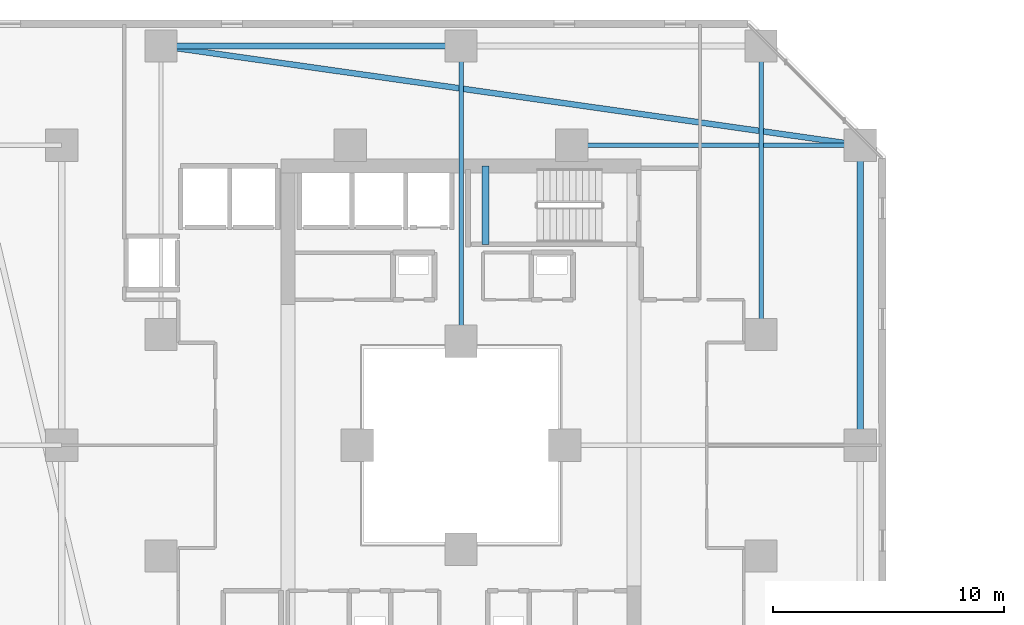
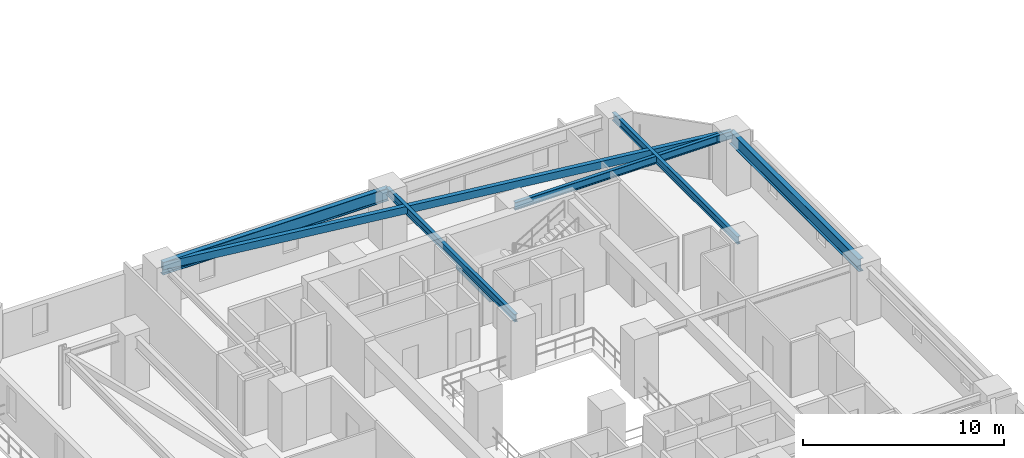
# One storey, part 8 of 33: 7 beams.
"""IFC4 building model written with IfcOpenShell, lengths in metres."""

from ifc_helpers import new_model, si_unit, direction, frame, origin, origin_2d, place, context, subcontext, project, spatial, rectangle, hollow_rectangle, i_section, extrude, material, material_profile, profile_set, type_object, element, save


model = new_model("IFC4")

# Units and contexts
model_context = context("Model", 3, precision=1e-05, world=origin(), true_north=direction((0.0, 1.0)))
body_context = subcontext(model_context, "Body", "Model", "MODEL_VIEW")
ifc_project = project(units=[si_unit("LENGTHUNIT", "METRE"), si_unit("AREAUNIT", "SQUARE_METRE"), si_unit("VOLUMEUNIT", "CUBIC_METRE"), si_unit("PLANEANGLEUNIT", "RADIAN"), si_unit("MASSUNIT", "GRAM", prefix="KILO")], contexts=[model_context])

# Site, building, storey
site_placement = place(None, origin())
site = spatial("IfcSite", under=ifc_project, at=site_placement, CompositionType="ELEMENT")
building_placement = place(site_placement, origin())
building = spatial("IfcBuilding", under=site, at=building_placement, Name="Thornwick Lancets Civic Towers", CompositionType="ELEMENT")
storey_placement = place(building_placement, frame((0.0, 0.0, 31.5)))
storey = spatial("IfcBuildingStorey", under=building, at=storey_placement, Name="L07", CompositionType="ELEMENT", Elevation=31.5)

# Beams
ifc_material_1 = material(Name="Steel S355JR", Category="steel")
ifc_material_profile_1 = material_profile(ifc_material_1, i_section(OverallWidth=0.26806640625, OverallDepth=0.769775390625, WebThickness=0.015625, FlangeThickness=0.025390625, FilletRadius=0.0166015625, at=origin_2d()), Name="UKB 762x267x197")
ifc_profile_set_1 = profile_set([ifc_material_profile_1], Name="Steel S355JR")
beam_type_1 = type_object("IfcBeamType", Name="BM_GIRD_762_197", PredefinedType="BEAM", material=ifc_profile_set_1)
beam_1_placement = place(storey_placement, frame((42.800048828125, 27.080078125, 2.97509765625), z_axis=(0.0, 1.0, 0.0), x_axis=(-1.0, 0.0, 0.0)))
element("IfcBeam", 1, at=beam_1_placement, inside=storey, type_object=beam_type_1, Name="BM-SPINE-L07-A-4-5", PredefinedType="BEAM", context=body_context, shape_type="SweptSolid", body=[
    extrude(i_section(OverallWidth=0.26806640625, OverallDepth=0.769775390625, WebThickness=0.015625, FlangeThickness=0.025390625, FilletRadius=0.0166015625, at=origin_2d()), origin(), (0.0, 0.0, 1.0), 12.919921875),
])
beam_2_placement = place(storey_placement, frame((12.5, 44.300048828125, 2.97509765625), z_axis=(1.0, 0.0, 0.0), x_axis=(0.0, 1.0, 0.0)))
element("IfcBeam", 2, at=beam_2_placement, inside=storey, type_object=beam_type_1, Name="BM-SPINE-L07-A-6-7", PredefinedType="BEAM", context=body_context, shape_type="SweptSolid", body=[
    extrude(i_section(OverallWidth=0.26806640625, OverallDepth=0.769775390625, WebThickness=0.015625, FlangeThickness=0.025390625, FilletRadius=0.0166015625, at=origin_2d()), origin(), (0.0, 0.0, 1.0), 13.0),
])
ifc_material_profile_2 = material_profile(ifc_material_1, i_section(OverallWidth=0.19287109375, OverallDepth=0.46728515625, WebThickness=0.011474609375, FlangeThickness=0.01953125, FilletRadius=0.01025390625, at=origin_2d()), Name="UKB 457x191x98")
ifc_profile_set_2 = profile_set([ifc_material_profile_2], Name="Steel S355JR")
beam_type_2 = type_object("IfcBeamType", Name="BM_JOIST_457_98", PredefinedType="JOIST", material=ifc_profile_set_2)
beam_3_placement = place(storey_placement, frame((30.300048828125, 40.0, 3.12646484375), z_axis=(1.0, 0.0, 0.0), x_axis=(0.0, 1.0, 0.0)))
element("IfcBeam", 3, at=beam_3_placement, inside=storey, type_object=beam_type_2, Name="BM-RADIN-L07-A06", PredefinedType="JOIST", context=body_context, shape_type="SweptSolid", body=[
    extrude(i_section(OverallWidth=0.19287109375, OverallDepth=0.46728515625, WebThickness=0.011474609375, FlangeThickness=0.01953125, FilletRadius=0.01025390625, at=origin_2d()), origin(), (0.0, 0.0, 1.0), 12.5),
])
beam_4_placement = place(storey_placement, frame((25.5, 31.5, 3.12646484375), z_axis=(0.0, 1.0, 0.0), x_axis=(-1.0, 0.0, 0.0)))
element("IfcBeam", 4, at=beam_4_placement, inside=storey, type_object=beam_type_2, Name="BM-RADIN-L07-A08", PredefinedType="JOIST", context=body_context, shape_type="SweptSolid", body=[
    extrude(i_section(OverallWidth=0.19287109375, OverallDepth=0.46728515625, WebThickness=0.011474609375, FlangeThickness=0.01953125, FilletRadius=0.01025390625, at=origin_2d()), origin(), (0.0, 0.0, 1.0), 12.800048828125),
])
beam_5_placement = place(storey_placement, frame((38.5, 31.800048828125, 3.12646484375), z_axis=(0.0, 1.0, 0.0), x_axis=(-1.0, 0.0, 0.0)))
element("IfcBeam", 5, at=beam_5_placement, inside=storey, type_object=beam_type_2, Name="BM-RADIN-L07-A09", PredefinedType="JOIST", context=body_context, shape_type="SweptSolid", body=[
    extrude(i_section(OverallWidth=0.19287109375, OverallDepth=0.46728515625, WebThickness=0.011474609375, FlangeThickness=0.01953125, FilletRadius=0.01025390625, at=origin_2d()), origin(), (0.0, 0.0, 1.0), 12.5),
])
ifc_material_profile_3 = material_profile(ifc_material_1, hollow_rectangle(XDim=0.25, YDim=0.449951171875, WallThickness=0.01611328125, at=origin_2d()), Name="RHS 450x250x16")
ifc_profile_set_3 = profile_set([ifc_material_profile_3], Name="Steel S355JR")
beam_type_3 = type_object("IfcBeamType", Name="BM_RING_RHS450", PredefinedType="BEAM", material=ifc_profile_set_3)
beam_6_placement = place(storey_placement, frame((42.800048828125, 40.0, 3.135009765625), z_axis=(-0.990079584012, 0.140507712682, 0.0), x_axis=(-0.140507712682, -0.990079584012, 0.0)))
element("IfcBeam", 6, at=beam_6_placement, inside=storey, type_object=beam_type_3, Name="BM-CHAMF-L07-A-C1", PredefinedType="BEAM", context=body_context, shape_type="SweptSolid", body=[
    extrude(hollow_rectangle(XDim=0.25, YDim=0.449951171875, WallThickness=0.01611328125, at=origin_2d()), origin(), (0.0, 0.0, 1.0), 30.603759765625),
])
ifc_material_2 = material(Name="Concrete C40/50", Category="concrete")
ifc_material_profile_4 = material_profile(ifc_material_2, rectangle(XDim=0.300048828125, YDim=0.35009765625, at=origin_2d()), Name="RC 300x350")
ifc_profile_set_4 = profile_set([ifc_material_profile_4], Name="Concrete C40/50")
beam_type_4 = type_object("IfcBeamType", Name="BM_STAIR_LDG", PredefinedType="BEAM", material=ifc_profile_set_4)
beam_7_placement = place(storey_placement, frame((26.56494140625, 39.10009765625, 1.3779296875), z_axis=(0.0, -1.0, 0.0), x_axis=(1.0, 0.0, 0.0)))
element("IfcBeam", 7, at=beam_7_placement, inside=storey, type_object=beam_type_4, Name="L07 ST-A2 Landing Support Beam 1", PredefinedType="BEAM", context=body_context, shape_type="SweptSolid", body=[
    extrude(rectangle(XDim=0.300048828125, YDim=0.35009765625, at=origin_2d()), origin(), (0.0, 0.0, 1.0), 3.400146484375),
])

save(model, "model.ifc")
